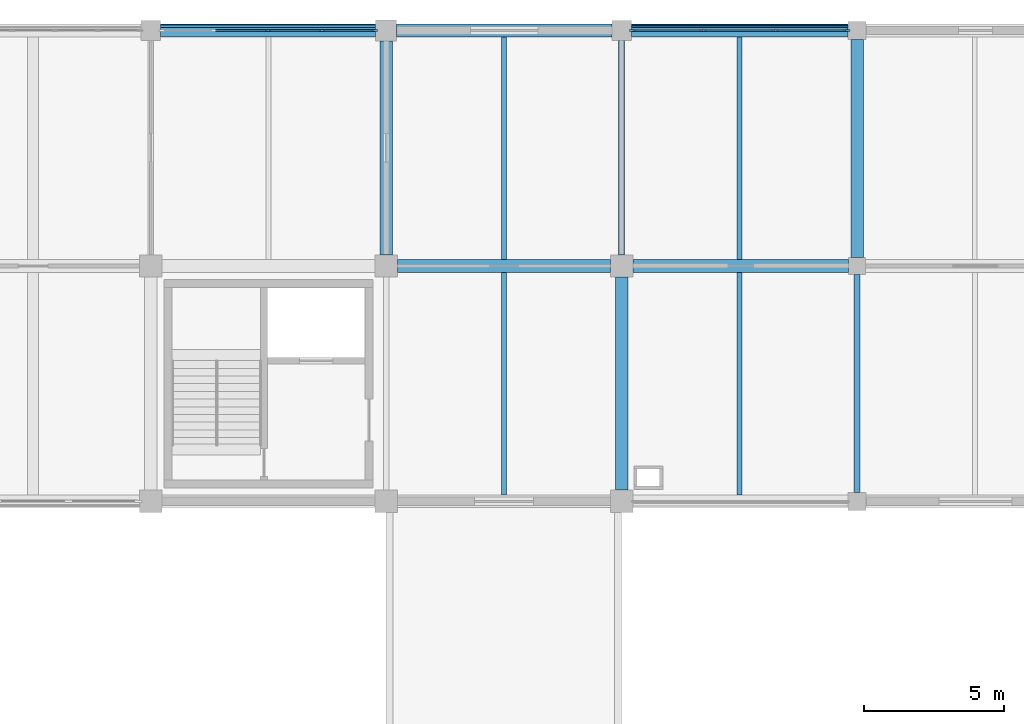
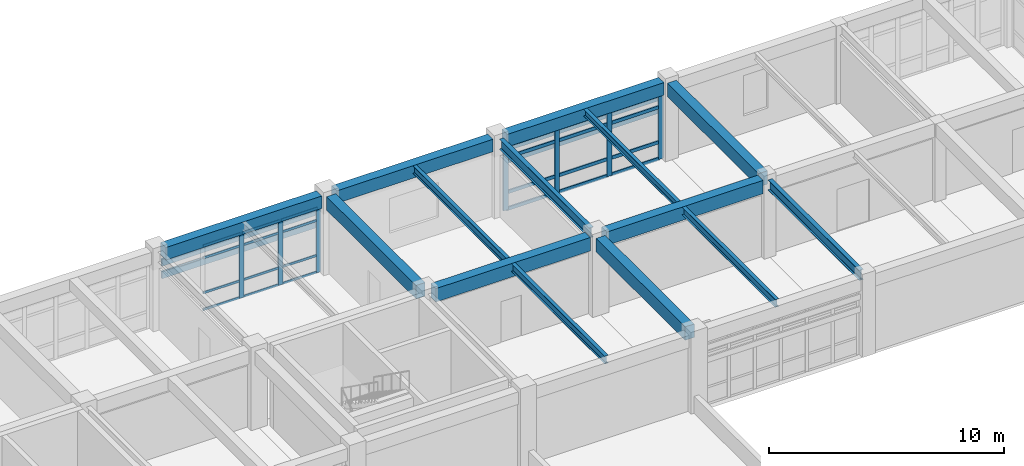
# One storey, part 39 of 74: 35 members, 14 beams, 2 elements without a shape of their own.
"""IFC4 building model written with IfcOpenShell, lengths in metres."""

from ifc_helpers import new_model, si_unit, direction, frame, origin, origin_2d, place, context, subcontext, project, spatial, rectangle, i_section, extrude, material, layer, layer_set, material_profile, profile_set, type_object, element, aggregate, save


model = new_model("IFC4")

# Units and contexts
model_context = context("Model", 3, precision=1e-05, world=origin(), true_north=direction((0.0, 1.0)))
body_context = subcontext(model_context, "Body", "Model", "MODEL_VIEW")
ifc_project = project(units=[si_unit("LENGTHUNIT", "METRE"), si_unit("AREAUNIT", "SQUARE_METRE"), si_unit("VOLUMEUNIT", "CUBIC_METRE"), si_unit("PLANEANGLEUNIT", "RADIAN"), si_unit("MASSUNIT", "GRAM", prefix="KILO")], contexts=[model_context])

# Site, building, storey
site_placement = place(None, origin())
site = spatial("IfcSite", under=ifc_project, at=site_placement, CompositionType="ELEMENT")
building_placement = place(site_placement, origin())
building = spatial("IfcBuilding", under=site, at=building_placement, Name="Porcellanite Civic Hall", CompositionType="ELEMENT")
storey_placement = place(building_placement, frame((0.0, 0.0, 14.760009765625)))
storey = spatial("IfcBuildingStorey", under=building, at=storey_placement, Name="L03", CompositionType="ELEMENT", Elevation=14.760009765625)

# Beams
ifc_material_1 = material(Name="Concrete N50 (50 MPa)", Category="concrete")
ifc_material_profile_1 = material_profile(ifc_material_1, rectangle(XDim=0.449951171875, YDim=0.64990234375, at=origin_2d()), Name="RC-450x650")
ifc_profile_set_1 = profile_set([ifc_material_profile_1], Name="Concrete N50 (50 MPa)")
beam_type_1 = type_object("IfcBeamType", Name="BM-RC650", PredefinedType="SPANDREL", material=ifc_profile_set_1)
beam_1_placement = place(storey_placement, frame((109.549560546875, 117.60009765625, 3.744873046875), z_axis=(1.0, 0.0, 0.0), x_axis=(0.0, 1.0, 0.0)))
element("IfcBeam", 1, at=beam_1_placement, inside=storey, type_object=beam_type_1, Name="Beam X L03 14-15", PredefinedType="SPANDREL", context=body_context, shape_type="SweptSolid", body=[
    extrude(rectangle(XDim=0.449951171875, YDim=0.64990234375, at=origin_2d()), origin(), (0.0, 0.0, 1.0), 7.676025390625),
])
beam_2_placement = place(storey_placement, frame((117.974609375, 117.60009765625, 3.744873046875), z_axis=(1.0, 0.0, 0.0), x_axis=(0.0, 1.0, 0.0)))
element("IfcBeam", 2, at=beam_2_placement, inside=storey, type_object=beam_type_1, Name="Beam X L03 15-15", PredefinedType="SPANDREL", context=body_context, shape_type="SweptSolid", body=[
    extrude(rectangle(XDim=0.449951171875, YDim=0.64990234375, at=origin_2d()), origin(), (0.0, 0.0, 1.0), 7.67578125),
])
beam_3_placement = place(storey_placement, frame((126.349609375, 117.60009765625, 3.744873046875), z_axis=(1.0, 0.0, 0.0), x_axis=(0.0, 1.0, 0.0)))
element("IfcBeam", 3, at=beam_3_placement, inside=storey, type_object=beam_type_1, Name="Beam X L03 16-15", PredefinedType="SPANDREL", context=body_context, shape_type="SweptSolid", body=[
    extrude(rectangle(XDim=0.449951171875, YDim=0.64990234375, at=origin_2d()), origin(), (0.0, 0.0, 1.0), 7.725830078125),
])
ifc_material_2 = material(Name="Concrete N50 (50 MPa)", Category="concrete")
ifc_material_profile_2 = material_profile(ifc_material_2, rectangle(XDim=0.449951171875, YDim=0.699951171875, at=origin_2d()), Name="RC-450x700")
ifc_profile_set_2 = profile_set([ifc_material_profile_2], Name="Concrete N50 (50 MPa)")
beam_type_2 = type_object("IfcBeamType", Name="BM-RC700", PredefinedType="BEAM", material=ifc_profile_set_2)
beam_4_placement = place(storey_placement, frame((117.99951171875, 109.199951171875, 3.719970703125), z_axis=(1.0, 0.0, 0.0), x_axis=(0.0, 1.0, 0.0)))
element("IfcBeam", 4, at=beam_4_placement, inside=storey, type_object=beam_type_2, Name="Beam X L03 15-14", PredefinedType="BEAM", context=body_context, shape_type="SweptSolid", body=[
    extrude(rectangle(XDim=0.449951171875, YDim=0.699951171875, at=origin_2d()), origin(), (0.0, 0.0, 1.0), 7.60107421875),
])
beam_5_placement = place(storey_placement, frame((126.3994140625, 109.199951171875, 3.719970703125), z_axis=(1.0, 0.0, 0.0), x_axis=(0.0, 1.0, 0.0)))
element("IfcBeam", 5, at=beam_5_placement, inside=storey, type_object=beam_type_2, Name="Beam X L03 16-14", PredefinedType="BEAM", context=body_context, shape_type="SweptSolid", body=[
    extrude(rectangle(XDim=0.449951171875, YDim=0.699951171875, at=origin_2d()), origin(), (0.0, 0.0, 1.0), 7.701171875),
])
beam_6_placement = place(storey_placement, frame((117.60009765625, 109.599609375, 3.719970703125), z_axis=(0.0, 1.0, 0.0), x_axis=(-1.0, 0.0, 0.0)))
element("IfcBeam", 6, at=beam_6_placement, inside=storey, type_object=beam_type_2, Name="Beam Y L03 15-14", PredefinedType="BEAM", context=body_context, shape_type="SweptSolid", body=[
    extrude(rectangle(XDim=0.449951171875, YDim=0.699951171875, at=origin_2d()), origin(), (0.0, 0.0, 1.0), 7.6259765625),
])
beam_7_placement = place(storey_placement, frame((126.0, 101.199462890625, 3.719970703125), z_axis=(0.0, 1.0, 0.0), x_axis=(-1.0, 0.0, 0.0)))
element("IfcBeam", 7, at=beam_7_placement, inside=storey, type_object=beam_type_2, Name="Beam Y L03 16-13", PredefinedType="BEAM", context=body_context, shape_type="SweptSolid", body=[
    extrude(rectangle(XDim=0.449951171875, YDim=0.699951171875, at=origin_2d()), origin(), (0.0, 0.0, 1.0), 7.60107421875),
])
beam_8_placement = place(storey_placement, frame((134.39990234375, 109.49951171875, 3.719970703125), z_axis=(0.0, 1.0, 0.0), x_axis=(-1.0, 0.0, 0.0)))
element("IfcBeam", 8, at=beam_8_placement, inside=storey, type_object=beam_type_2, Name="Beam Y L03 17-14", PredefinedType="BEAM", context=body_context, shape_type="SweptSolid", body=[
    extrude(rectangle(XDim=0.449951171875, YDim=0.699951171875, at=origin_2d()), origin(), (0.0, 0.0, 1.0), 7.77587890625),
])

# Curtain wall, members
ifc_material_3 = material(Name="Anodised aluminium and solar laminated glass", Category="aluminium")
ifc_layer_1 = layer(ifc_material_3, 0.179931640625)
ifc_layer_set_1 = layer_set([ifc_layer_1], Name="Anodised aluminium and solar laminated glass")
curtain_wall_type_1 = type_object("IfcCurtainWallType", Name="CW-SYS08", PredefinedType="NOTDEFINED", material=ifc_layer_set_1)
curtain_wall_1_placement = place(storey_placement, origin())
curtain_wall_1 = element("IfcCurtainWall", 9, at=curtain_wall_1_placement, inside=storey, type_object=curtain_wall_type_1, Name="Curtain wall CW-220", PredefinedType="NOTDEFINED")
ifc_material_4 = material(Name="Anodised aluminium 6063-T6", Category="aluminium")
ifc_material_profile_3 = material_profile(ifc_material_4, rectangle(XDim=0.080078125, YDim=0.239990234375, at=origin_2d()), Name="AL-80x240")
ifc_profile_set_3 = profile_set([ifc_material_profile_3], Name="Anodised aluminium 6063-T6")
member_type_1 = type_object("IfcMemberType", Name="CWM-01", PredefinedType="MULLION", material=ifc_profile_set_3)
member_1_placement = place(storey_placement, frame((126.39111328125, 117.60009765625, 0.0), z_axis=(0.0, 0.0, 1.0), x_axis=(0.0, 1.0, 0.0)))
member_1 = element("IfcMember", 10, at=member_1_placement, type_object=member_type_1, Name="CW-220 mullion 1", PredefinedType="MULLION", context=body_context, shape_type="SweptSolid", body=[
    extrude(rectangle(XDim=0.080078125, YDim=0.239990234375, at=origin_2d()), origin(), (0.0, 0.0, 1.0), 3.369873046875),
])
member_2_placement = place(storey_placement, frame((128.92529296875, 117.60009765625, 0.0), z_axis=(0.0, 0.0, 1.0), x_axis=(0.0, 1.0, 0.0)))
member_2 = element("IfcMember", 11, at=member_2_placement, type_object=member_type_1, Name="CW-220 mullion 2", PredefinedType="MULLION", context=body_context, shape_type="SweptSolid", body=[
    extrude(rectangle(XDim=0.080078125, YDim=0.239990234375, at=origin_2d()), origin(), (0.0, 0.0, 1.0), 3.369873046875),
])
member_3_placement = place(storey_placement, frame((131.499755859375, 117.60009765625, 0.0), z_axis=(0.0, 0.0, 1.0), x_axis=(0.0, 1.0, 0.0)))
member_3 = element("IfcMember", 12, at=member_3_placement, type_object=member_type_1, Name="CW-220 mullion 3", PredefinedType="MULLION", context=body_context, shape_type="SweptSolid", body=[
    extrude(rectangle(XDim=0.080078125, YDim=0.239990234375, at=origin_2d()), origin(), (0.0, 0.0, 1.0), 3.369873046875),
])
member_4_placement = place(storey_placement, frame((134.033935546875, 117.60009765625, 0.0), z_axis=(0.0, 0.0, 1.0), x_axis=(0.0, 1.0, 0.0)))
member_4 = element("IfcMember", 13, at=member_4_placement, type_object=member_type_1, Name="CW-220 mullion 4", PredefinedType="MULLION", context=body_context, shape_type="SweptSolid", body=[
    extrude(rectangle(XDim=0.080078125, YDim=0.239990234375, at=origin_2d()), origin(), (0.0, 0.0, 1.0), 3.369873046875),
])

ifc_material_5 = material(Name="Anodised aluminium and solar laminated glass", Category="aluminium")
ifc_layer_2 = layer(ifc_material_5, 0.179931640625)
ifc_layer_set_2 = layer_set([ifc_layer_2], Name="Anodised aluminium and solar laminated glass")
curtain_wall_type_2 = type_object("IfcCurtainWallType", Name="CW-SYS03", PredefinedType="NOTDEFINED", material=ifc_layer_set_2)
curtain_wall_2_placement = place(storey_placement, origin())
curtain_wall_2 = element("IfcCurtainWall", 14, at=curtain_wall_2_placement, inside=storey, type_object=curtain_wall_type_2, Name="Curtain wall CW-216", PredefinedType="NOTDEFINED")
ifc_material_6 = material(Name="Anodised aluminium 6063-T6", Category="aluminium")
ifc_material_profile_4 = material_profile(ifc_material_6, rectangle(XDim=0.080078125, YDim=0.2099609375, at=origin_2d()), Name="AL-80x210")
ifc_profile_set_4 = profile_set([ifc_material_profile_4], Name="Anodised aluminium 6063-T6")
member_type_2 = type_object("IfcMemberType", Name="CWM-02", PredefinedType="MULLION", material=ifc_profile_set_4)
member_5_placement = place(storey_placement, frame((113.387451171875, 117.60009765625, 0.0), z_axis=(0.0, 0.0, 1.0), x_axis=(0.0, 1.0, 0.0)))
member_5 = element("IfcMember", 15, at=member_5_placement, type_object=member_type_2, Name="CW-216 mullion 3", PredefinedType="MULLION", context=body_context, shape_type="SweptSolid", body=[
    extrude(rectangle(XDim=0.080078125, YDim=0.2099609375, at=origin_2d()), origin(), (0.0, 0.0, 1.0), 3.369873046875),
])
member_6_placement = place(storey_placement, frame((115.3056640625, 117.60009765625, 0.0), z_axis=(0.0, 0.0, 1.0), x_axis=(0.0, 1.0, 0.0)))
member_6 = element("IfcMember", 16, at=member_6_placement, type_object=member_type_2, Name="CW-216 mullion 4", PredefinedType="MULLION", context=body_context, shape_type="SweptSolid", body=[
    extrude(rectangle(XDim=0.080078125, YDim=0.2099609375, at=origin_2d()), origin(), (0.0, 0.0, 1.0), 3.369873046875),
])
member_7_placement = place(storey_placement, frame((117.18408203125, 117.60009765625, 0.0), z_axis=(0.0, 0.0, 1.0), x_axis=(0.0, 1.0, 0.0)))
member_7 = element("IfcMember", 17, at=member_7_placement, type_object=member_type_2, Name="CW-216 mullion 5", PredefinedType="MULLION", context=body_context, shape_type="SweptSolid", body=[
    extrude(rectangle(XDim=0.080078125, YDim=0.2099609375, at=origin_2d()), origin(), (0.0, 0.0, 1.0), 3.369873046875),
])

# Member
ifc_material_7 = material(Name="Anodised aluminium 6063-T6", Category="aluminium")
ifc_material_profile_5 = material_profile(ifc_material_7, rectangle(XDim=0.070068359375, YDim=0.175048828125, at=origin_2d()), Name="AL-70x175")
ifc_profile_set_5 = profile_set([ifc_material_profile_5], Name="Anodised aluminium 6063-T6")
member_type_3 = type_object("IfcMemberType", Name="CWT-01", PredefinedType="USERDEFINED", material=ifc_profile_set_5)
member_8_placement = place(storey_placement, frame((126.430908203125, 117.60009765625, 0.034912109375), z_axis=(1.0, 0.0, 0.0), x_axis=(0.0, 1.0, 0.0)))
member_8 = element("IfcMember", 18, at=member_8_placement, type_object=member_type_3, Name="CW-220 transom 1.1", ObjectType="TRANSOM", PredefinedType="USERDEFINED", context=body_context, shape_type="SweptSolid", body=[
    extrude(rectangle(XDim=0.070068359375, YDim=0.175048828125, at=origin_2d()), origin(), (0.0, 0.0, 1.0), 2.454345703125),
])

member_9_placement = place(storey_placement, frame((126.430908203125, 117.60009765625, 0.89990234375), z_axis=(1.0, 0.0, 0.0), x_axis=(0.0, 1.0, 0.0)))
member_9 = element("IfcMember", 19, at=member_9_placement, type_object=member_type_3, Name="CW-220 transom 1.2", ObjectType="TRANSOM", PredefinedType="USERDEFINED", context=body_context, shape_type="SweptSolid", body=[
    extrude(rectangle(XDim=0.070068359375, YDim=0.175048828125, at=origin_2d()), origin(), (0.0, 0.0, 1.0), 2.454345703125),
])

member_10_placement = place(storey_placement, frame((126.430908203125, 117.60009765625, 2.719970703125), z_axis=(1.0, 0.0, 0.0), x_axis=(0.0, 1.0, 0.0)))
member_10 = element("IfcMember", 20, at=member_10_placement, type_object=member_type_3, Name="CW-220 transom 1.3", ObjectType="TRANSOM", PredefinedType="USERDEFINED", context=body_context, shape_type="SweptSolid", body=[
    extrude(rectangle(XDim=0.070068359375, YDim=0.175048828125, at=origin_2d()), origin(), (0.0, 0.0, 1.0), 2.454345703125),
])

member_11_placement = place(storey_placement, frame((126.430908203125, 117.60009765625, 3.3349609375), z_axis=(1.0, 0.0, 0.0), x_axis=(0.0, 1.0, 0.0)))
member_11 = element("IfcMember", 21, at=member_11_placement, type_object=member_type_3, Name="CW-220 transom 1.4", ObjectType="TRANSOM", PredefinedType="USERDEFINED", context=body_context, shape_type="SweptSolid", body=[
    extrude(rectangle(XDim=0.070068359375, YDim=0.175048828125, at=origin_2d()), origin(), (0.0, 0.0, 1.0), 2.454345703125),
])

member_12_placement = place(storey_placement, frame((128.96533203125, 117.60009765625, 0.034912109375), z_axis=(1.0, 0.0, 0.0), x_axis=(0.0, 1.0, 0.0)))
member_12 = element("IfcMember", 22, at=member_12_placement, type_object=member_type_3, Name="CW-220 transom 2.1", ObjectType="TRANSOM", PredefinedType="USERDEFINED", context=body_context, shape_type="SweptSolid", body=[
    extrude(rectangle(XDim=0.070068359375, YDim=0.175048828125, at=origin_2d()), origin(), (0.0, 0.0, 1.0), 2.494384765625),
])

member_13_placement = place(storey_placement, frame((128.96533203125, 117.60009765625, 0.89990234375), z_axis=(1.0, 0.0, 0.0), x_axis=(0.0, 1.0, 0.0)))
member_13 = element("IfcMember", 23, at=member_13_placement, type_object=member_type_3, Name="CW-220 transom 2.2", ObjectType="TRANSOM", PredefinedType="USERDEFINED", context=body_context, shape_type="SweptSolid", body=[
    extrude(rectangle(XDim=0.070068359375, YDim=0.175048828125, at=origin_2d()), origin(), (0.0, 0.0, 1.0), 2.494384765625),
])

member_14_placement = place(storey_placement, frame((128.96533203125, 117.60009765625, 2.719970703125), z_axis=(1.0, 0.0, 0.0), x_axis=(0.0, 1.0, 0.0)))
member_14 = element("IfcMember", 24, at=member_14_placement, type_object=member_type_3, Name="CW-220 transom 2.3", ObjectType="TRANSOM", PredefinedType="USERDEFINED", context=body_context, shape_type="SweptSolid", body=[
    extrude(rectangle(XDim=0.070068359375, YDim=0.175048828125, at=origin_2d()), origin(), (0.0, 0.0, 1.0), 2.494384765625),
])

member_15_placement = place(storey_placement, frame((128.96533203125, 117.60009765625, 3.3349609375), z_axis=(1.0, 0.0, 0.0), x_axis=(0.0, 1.0, 0.0)))
member_15 = element("IfcMember", 25, at=member_15_placement, type_object=member_type_3, Name="CW-220 transom 2.4", ObjectType="TRANSOM", PredefinedType="USERDEFINED", context=body_context, shape_type="SweptSolid", body=[
    extrude(rectangle(XDim=0.070068359375, YDim=0.175048828125, at=origin_2d()), origin(), (0.0, 0.0, 1.0), 2.494384765625),
])

member_16_placement = place(storey_placement, frame((131.53955078125, 117.60009765625, 0.034912109375), z_axis=(1.0, 0.0, 0.0), x_axis=(0.0, 1.0, 0.0)))
member_16 = element("IfcMember", 26, at=member_16_placement, type_object=member_type_3, Name="CW-220 transom 3.1", ObjectType="TRANSOM", PredefinedType="USERDEFINED", context=body_context, shape_type="SweptSolid", body=[
    extrude(rectangle(XDim=0.070068359375, YDim=0.175048828125, at=origin_2d()), origin(), (0.0, 0.0, 1.0), 2.454345703125),
])

member_17_placement = place(storey_placement, frame((131.53955078125, 117.60009765625, 0.89990234375), z_axis=(1.0, 0.0, 0.0), x_axis=(0.0, 1.0, 0.0)))
member_17 = element("IfcMember", 27, at=member_17_placement, type_object=member_type_3, Name="CW-220 transom 3.2", ObjectType="TRANSOM", PredefinedType="USERDEFINED", context=body_context, shape_type="SweptSolid", body=[
    extrude(rectangle(XDim=0.070068359375, YDim=0.175048828125, at=origin_2d()), origin(), (0.0, 0.0, 1.0), 2.454345703125),
])

member_18_placement = place(storey_placement, frame((131.53955078125, 117.60009765625, 2.719970703125), z_axis=(1.0, 0.0, 0.0), x_axis=(0.0, 1.0, 0.0)))
member_18 = element("IfcMember", 28, at=member_18_placement, type_object=member_type_3, Name="CW-220 transom 3.3", ObjectType="TRANSOM", PredefinedType="USERDEFINED", context=body_context, shape_type="SweptSolid", body=[
    extrude(rectangle(XDim=0.070068359375, YDim=0.175048828125, at=origin_2d()), origin(), (0.0, 0.0, 1.0), 2.454345703125),
])

member_19_placement = place(storey_placement, frame((131.53955078125, 117.60009765625, 3.3349609375), z_axis=(1.0, 0.0, 0.0), x_axis=(0.0, 1.0, 0.0)))
member_19 = element("IfcMember", 29, at=member_19_placement, type_object=member_type_3, Name="CW-220 transom 3.4", ObjectType="TRANSOM", PredefinedType="USERDEFINED", context=body_context, shape_type="SweptSolid", body=[
    extrude(rectangle(XDim=0.070068359375, YDim=0.175048828125, at=origin_2d()), origin(), (0.0, 0.0, 1.0), 2.454345703125),
])

aggregate(curtain_wall_1, [member_1, member_2, member_3, member_4, member_8, member_9, member_10, member_11, member_12, member_13, member_14, member_15, member_16, member_17, member_18, member_19])

ifc_material_8 = material(Name="Anodised aluminium 6063-T6", Category="aluminium")
ifc_material_profile_6 = material_profile(ifc_material_8, rectangle(XDim=0.054931640625, YDim=0.1201171875, at=origin_2d()), Name="AL-55x120")
ifc_profile_set_6 = profile_set([ifc_material_profile_6], Name="Anodised aluminium 6063-T6")
member_type_4 = type_object("IfcMemberType", Name="CWT-04", PredefinedType="USERDEFINED", material=ifc_profile_set_6)
member_20_placement = place(storey_placement, frame((111.50927734375, 117.60009765625, 0.027587890625), z_axis=(1.0, 0.0, 0.0), x_axis=(0.0, 1.0, 0.0)))
member_20 = element("IfcMember", 30, at=member_20_placement, type_object=member_type_4, Name="CW-216 transom 2.1", ObjectType="TRANSOM", PredefinedType="USERDEFINED", context=body_context, shape_type="SweptSolid", body=[
    extrude(rectangle(XDim=0.054931640625, YDim=0.1201171875, at=origin_2d()), origin(), (0.0, 0.0, 1.0), 1.838134765625),
])

member_21_placement = place(storey_placement, frame((111.50927734375, 117.60009765625, 0.89990234375), z_axis=(1.0, 0.0, 0.0), x_axis=(0.0, 1.0, 0.0)))
member_21 = element("IfcMember", 31, at=member_21_placement, type_object=member_type_4, Name="CW-216 transom 2.2", ObjectType="TRANSOM", PredefinedType="USERDEFINED", context=body_context, shape_type="SweptSolid", body=[
    extrude(rectangle(XDim=0.054931640625, YDim=0.1201171875, at=origin_2d()), origin(), (0.0, 0.0, 1.0), 1.838134765625),
])

member_22_placement = place(storey_placement, frame((111.50927734375, 117.60009765625, 2.719970703125), z_axis=(1.0, 0.0, 0.0), x_axis=(0.0, 1.0, 0.0)))
member_22 = element("IfcMember", 32, at=member_22_placement, type_object=member_type_4, Name="CW-216 transom 2.3", ObjectType="TRANSOM", PredefinedType="USERDEFINED", context=body_context, shape_type="SweptSolid", body=[
    extrude(rectangle(XDim=0.054931640625, YDim=0.1201171875, at=origin_2d()), origin(), (0.0, 0.0, 1.0), 1.838134765625),
])

member_23_placement = place(storey_placement, frame((111.50927734375, 117.60009765625, 3.342529296875), z_axis=(1.0, 0.0, 0.0), x_axis=(0.0, 1.0, 0.0)))
member_23 = element("IfcMember", 33, at=member_23_placement, type_object=member_type_4, Name="CW-216 transom 2.4", ObjectType="TRANSOM", PredefinedType="USERDEFINED", context=body_context, shape_type="SweptSolid", body=[
    extrude(rectangle(XDim=0.054931640625, YDim=0.1201171875, at=origin_2d()), origin(), (0.0, 0.0, 1.0), 1.838134765625),
])

member_24_placement = place(storey_placement, frame((113.427490234375, 117.60009765625, 0.027587890625), z_axis=(1.0, 0.0, 0.0), x_axis=(0.0, 1.0, 0.0)))
member_24 = element("IfcMember", 34, at=member_24_placement, type_object=member_type_4, Name="CW-216 transom 3.1", ObjectType="TRANSOM", PredefinedType="USERDEFINED", context=body_context, shape_type="SweptSolid", body=[
    extrude(rectangle(XDim=0.054931640625, YDim=0.1201171875, at=origin_2d()), origin(), (0.0, 0.0, 1.0), 1.83837890625),
])

member_25_placement = place(storey_placement, frame((113.427490234375, 117.60009765625, 0.89990234375), z_axis=(1.0, 0.0, 0.0), x_axis=(0.0, 1.0, 0.0)))
member_25 = element("IfcMember", 35, at=member_25_placement, type_object=member_type_4, Name="CW-216 transom 3.2", ObjectType="TRANSOM", PredefinedType="USERDEFINED", context=body_context, shape_type="SweptSolid", body=[
    extrude(rectangle(XDim=0.054931640625, YDim=0.1201171875, at=origin_2d()), origin(), (0.0, 0.0, 1.0), 1.83837890625),
])

member_26_placement = place(storey_placement, frame((113.427490234375, 117.60009765625, 2.719970703125), z_axis=(1.0, 0.0, 0.0), x_axis=(0.0, 1.0, 0.0)))
member_26 = element("IfcMember", 36, at=member_26_placement, type_object=member_type_4, Name="CW-216 transom 3.3", ObjectType="TRANSOM", PredefinedType="USERDEFINED", context=body_context, shape_type="SweptSolid", body=[
    extrude(rectangle(XDim=0.054931640625, YDim=0.1201171875, at=origin_2d()), origin(), (0.0, 0.0, 1.0), 1.83837890625),
])

member_27_placement = place(storey_placement, frame((113.427490234375, 117.60009765625, 3.342529296875), z_axis=(1.0, 0.0, 0.0), x_axis=(0.0, 1.0, 0.0)))
member_27 = element("IfcMember", 37, at=member_27_placement, type_object=member_type_4, Name="CW-216 transom 3.4", ObjectType="TRANSOM", PredefinedType="USERDEFINED", context=body_context, shape_type="SweptSolid", body=[
    extrude(rectangle(XDim=0.054931640625, YDim=0.1201171875, at=origin_2d()), origin(), (0.0, 0.0, 1.0), 1.83837890625),
])

member_28_placement = place(storey_placement, frame((115.345703125, 117.60009765625, 0.027587890625), z_axis=(1.0, 0.0, 0.0), x_axis=(0.0, 1.0, 0.0)))
member_28 = element("IfcMember", 38, at=member_28_placement, type_object=member_type_4, Name="CW-216 transom 4.1", ObjectType="TRANSOM", PredefinedType="USERDEFINED", context=body_context, shape_type="SweptSolid", body=[
    extrude(rectangle(XDim=0.054931640625, YDim=0.1201171875, at=origin_2d()), origin(), (0.0, 0.0, 1.0), 1.79833984375),
])

member_29_placement = place(storey_placement, frame((115.345703125, 117.60009765625, 0.89990234375), z_axis=(1.0, 0.0, 0.0), x_axis=(0.0, 1.0, 0.0)))
member_29 = element("IfcMember", 39, at=member_29_placement, type_object=member_type_4, Name="CW-216 transom 4.2", ObjectType="TRANSOM", PredefinedType="USERDEFINED", context=body_context, shape_type="SweptSolid", body=[
    extrude(rectangle(XDim=0.054931640625, YDim=0.1201171875, at=origin_2d()), origin(), (0.0, 0.0, 1.0), 1.79833984375),
])

member_30_placement = place(storey_placement, frame((115.345703125, 117.60009765625, 2.719970703125), z_axis=(1.0, 0.0, 0.0), x_axis=(0.0, 1.0, 0.0)))
member_30 = element("IfcMember", 40, at=member_30_placement, type_object=member_type_4, Name="CW-216 transom 4.3", ObjectType="TRANSOM", PredefinedType="USERDEFINED", context=body_context, shape_type="SweptSolid", body=[
    extrude(rectangle(XDim=0.054931640625, YDim=0.1201171875, at=origin_2d()), origin(), (0.0, 0.0, 1.0), 1.79833984375),
])

member_31_placement = place(storey_placement, frame((115.345703125, 117.60009765625, 3.342529296875), z_axis=(1.0, 0.0, 0.0), x_axis=(0.0, 1.0, 0.0)))
member_31 = element("IfcMember", 41, at=member_31_placement, type_object=member_type_4, Name="CW-216 transom 4.4", ObjectType="TRANSOM", PredefinedType="USERDEFINED", context=body_context, shape_type="SweptSolid", body=[
    extrude(rectangle(XDim=0.054931640625, YDim=0.1201171875, at=origin_2d()), origin(), (0.0, 0.0, 1.0), 1.79833984375),
])

aggregate(curtain_wall_2, [member_5, member_6, member_7, member_20, member_21, member_22, member_23, member_24, member_25, member_26, member_27, member_28, member_29, member_30, member_31])

# Beams
ifc_material_9 = material(Name="Steel Grade 350", Category="steel")
ifc_material_profile_7 = material_profile(ifc_material_9, i_section(OverallWidth=0.172119140625, OverallDepth=0.35888671875, WebThickness=0.008056640625, FlangeThickness=0.012939453125, FilletRadius=0.011474609375, at=origin_2d()), Name="360UB56.7")
ifc_profile_set_7 = profile_set([ifc_material_profile_7], Name="Steel Grade 350")
beam_type_3 = type_object("IfcBeamType", Name="JST-360UB57", PredefinedType="JOIST", material=ifc_profile_set_7)
beam_9_placement = place(storey_placement, frame((130.199951171875, 109.424560546875, 3.890380859375), z_axis=(0.0, 1.0, 0.0), x_axis=(-1.0, 0.0, 0.0)))
element("IfcBeam", 42, at=beam_9_placement, inside=storey, type_object=beam_type_3, Name="Secondary joist L03 16-14", PredefinedType="JOIST", context=body_context, shape_type="SweptSolid", body=[
    extrude(i_section(OverallWidth=0.172119140625, OverallDepth=0.35888671875, WebThickness=0.008056640625, FlangeThickness=0.012939453125, FilletRadius=0.011474609375, at=origin_2d()), origin(), (0.0, 0.0, 1.0), 7.950927734375),
])
ifc_material_10 = material(Name="Steel Grade 350", Category="steel")
ifc_material_profile_8 = material_profile(ifc_material_10, i_section(OverallWidth=0.177978515625, OverallDepth=0.403076171875, WebThickness=0.007568359375, FlangeThickness=0.010986328125, FilletRadius=0.011474609375, at=origin_2d()), Name="410UB53.7")
ifc_profile_set_8 = profile_set([ifc_material_profile_8], Name="Steel Grade 350")
beam_type_4 = type_object("IfcBeamType", Name="JST-410UB54", PredefinedType="JOIST", material=ifc_profile_set_8)
beam_10_placement = place(storey_placement, frame((121.800048828125, 109.424560546875, 3.868408203125), z_axis=(0.0, 1.0, 0.0), x_axis=(-1.0, 0.0, 0.0)))
element("IfcBeam", 43, at=beam_10_placement, inside=storey, type_object=beam_type_4, Name="Secondary joist L03 15-14", PredefinedType="JOIST", context=body_context, shape_type="SweptSolid", body=[
    extrude(i_section(OverallWidth=0.177978515625, OverallDepth=0.403076171875, WebThickness=0.007568359375, FlangeThickness=0.010986328125, FilletRadius=0.011474609375, at=origin_2d()), origin(), (0.0, 0.0, 1.0), 7.950927734375),
])
beam_11_placement = place(storey_placement, frame((130.199951171875, 101.0244140625, 3.868408203125), z_axis=(0.0, 1.0, 0.0), x_axis=(-1.0, 0.0, 0.0)))
element("IfcBeam", 44, at=beam_11_placement, inside=storey, type_object=beam_type_4, Name="Secondary joist L03 16-13", PredefinedType="JOIST", context=body_context, shape_type="SweptSolid", body=[
    extrude(i_section(OverallWidth=0.177978515625, OverallDepth=0.403076171875, WebThickness=0.007568359375, FlangeThickness=0.010986328125, FilletRadius=0.011474609375, at=origin_2d()), origin(), (0.0, 0.0, 1.0), 7.951171875),
])
ifc_material_11 = material(Name="Steel Grade 350", Category="steel")
ifc_material_profile_9 = material_profile(ifc_material_11, i_section(OverallWidth=0.177978515625, OverallDepth=0.406005859375, WebThickness=0.0078125, FlangeThickness=0.0126953125, FilletRadius=0.011474609375, at=origin_2d()), Name="410UB59.7")
ifc_profile_set_9 = profile_set([ifc_material_profile_9], Name="Steel Grade 350")
beam_type_5 = type_object("IfcBeamType", Name="JST-410UB60", PredefinedType="JOIST", material=ifc_profile_set_9)
beam_12_placement = place(storey_placement, frame((121.800048828125, 101.0244140625, 3.866943359375), z_axis=(0.0, 1.0, 0.0), x_axis=(-1.0, 0.0, 0.0)))
element("IfcBeam", 45, at=beam_12_placement, inside=storey, type_object=beam_type_5, Name="Secondary joist L03 15-13", PredefinedType="JOIST", context=body_context, shape_type="SweptSolid", body=[
    extrude(i_section(OverallWidth=0.177978515625, OverallDepth=0.406005859375, WebThickness=0.0078125, FlangeThickness=0.0126953125, FilletRadius=0.011474609375, at=origin_2d()), origin(), (0.0, 0.0, 1.0), 7.951171875),
])

# Members
ifc_material_12 = material(Name="Fluoropolymer bauxite-red aluminium 6063-T6", Category="aluminium")
ifc_material_profile_10 = material_profile(ifc_material_12, rectangle(XDim=0.090087890625, YDim=0.360107421875, at=origin_2d()), Name="AL-90x360")
ifc_profile_set_10 = profile_set([ifc_material_profile_10], Name="Fluoropolymer bauxite-red aluminium 6063-T6")
member_type_5 = type_object("IfcMemberType", Name="LV-BLD01", PredefinedType="USERDEFINED", material=ifc_profile_set_10)
for number, where, z_axis, x_axis, name in (
    (46, (109.549560546875, 117.751953125, 3.070068359375), (1.0, 0.0, 0.0), (0.0, 1.0, 0.0), "Cyclone sunshade louvre L03 N 13-13 1"),
    (47, (109.549560546875, 117.751953125, 2.419921875), (1.0, 0.0, 0.0), (0.0, 1.0, 0.0), "Cyclone sunshade louvre L03 N 13-13 2"),
):
    element("IfcMember", number, at=place(storey_placement, frame(where, z_axis=z_axis, x_axis=x_axis)), inside=storey, type_object=member_type_5, Name=name, ObjectType="LOUVRE BLADE", PredefinedType="USERDEFINED", context=body_context, shape_type="SweptSolid", body=[
        extrude(rectangle(XDim=0.090087890625, YDim=0.360107421875, at=origin_2d()), origin(), (0.0, 0.0, 1.0), 7.676025390625),
    ])
ifc_material_13 = material(Name="Fluoropolymer bauxite-red aluminium 6063-T6", Category="aluminium")
ifc_material_profile_11 = material_profile(ifc_material_13, rectangle(XDim=0.070068359375, YDim=0.280029296875, at=origin_2d()), Name="AL-70x280")
ifc_profile_set_11 = profile_set([ifc_material_profile_11], Name="Fluoropolymer bauxite-red aluminium 6063-T6")
member_type_6 = type_object("IfcMemberType", Name="LV-BLD05", PredefinedType="USERDEFINED", material=ifc_profile_set_11)
for number, where, z_axis, x_axis, name in (
    (48, (126.349609375, 117.757080078125, 3.070068359375), (1.0, 0.0, 0.0), (0.0, 1.0, 0.0), "Cyclone sunshade louvre L03 N 15-13 1"),
    (49, (126.349609375, 117.757080078125, 2.419921875), (1.0, 0.0, 0.0), (0.0, 1.0, 0.0), "Cyclone sunshade louvre L03 N 15-13 2"),
):
    element("IfcMember", number, at=place(storey_placement, frame(where, z_axis=z_axis, x_axis=x_axis)), inside=storey, type_object=member_type_6, Name=name, ObjectType="LOUVRE BLADE", PredefinedType="USERDEFINED", context=body_context, shape_type="SweptSolid", body=[
        extrude(rectangle(XDim=0.070068359375, YDim=0.280029296875, at=origin_2d()), origin(), (0.0, 0.0, 1.0), 7.725830078125),
    ])

# Beams
ifc_material_14 = material(Name="Steel Grade 350", Category="steel")
ifc_material_profile_12 = material_profile(ifc_material_14, i_section(OverallWidth=0.208984375, OverallDepth=0.528076171875, WebThickness=0.009521484375, FlangeThickness=0.01318359375, FilletRadius=0.013916015625, at=origin_2d()), Name="530UB82.0")
ifc_profile_set_12 = profile_set([ifc_material_profile_12], Name="Steel Grade 350")
beam_type_6 = type_object("IfcBeamType", Name="RAF-530UB82", PredefinedType="BEAM", material=ifc_profile_set_12)
beam_13_placement = place(storey_placement, frame((126.0, 109.599609375, 3.805908203125), z_axis=(0.0, 1.0, 0.0), x_axis=(-1.0, 0.0, 0.0)))
element("IfcBeam", 50, at=beam_13_placement, inside=storey, type_object=beam_type_6, Name="Beam Y L03 16-14", PredefinedType="BEAM", context=body_context, shape_type="SweptSolid", body=[
    extrude(i_section(OverallWidth=0.208984375, OverallDepth=0.528076171875, WebThickness=0.009521484375, FlangeThickness=0.01318359375, FilletRadius=0.013916015625, at=origin_2d()), origin(), (0.0, 0.0, 1.0), 7.65087890625),
])
beam_14_placement = place(storey_placement, frame((134.39990234375, 101.12451171875, 3.805908203125), z_axis=(0.0, 1.0, 0.0), x_axis=(-1.0, 0.0, 0.0)))
element("IfcBeam", 51, at=beam_14_placement, inside=storey, type_object=beam_type_6, Name="Beam Y L03 17-13", PredefinedType="BEAM", context=body_context, shape_type="SweptSolid", body=[
    extrude(i_section(OverallWidth=0.208984375, OverallDepth=0.528076171875, WebThickness=0.009521484375, FlangeThickness=0.01318359375, FilletRadius=0.013916015625, at=origin_2d()), origin(), (0.0, 0.0, 1.0), 7.77587890625),
])

save(model, "model.ifc")
